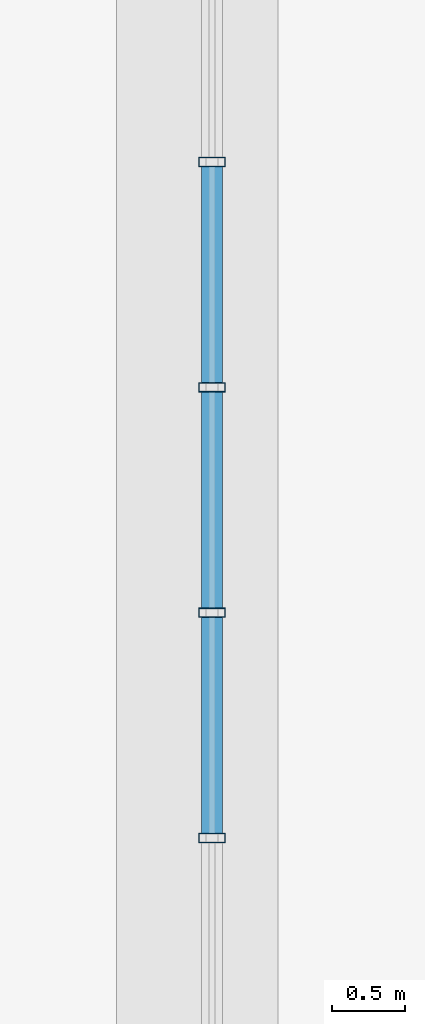
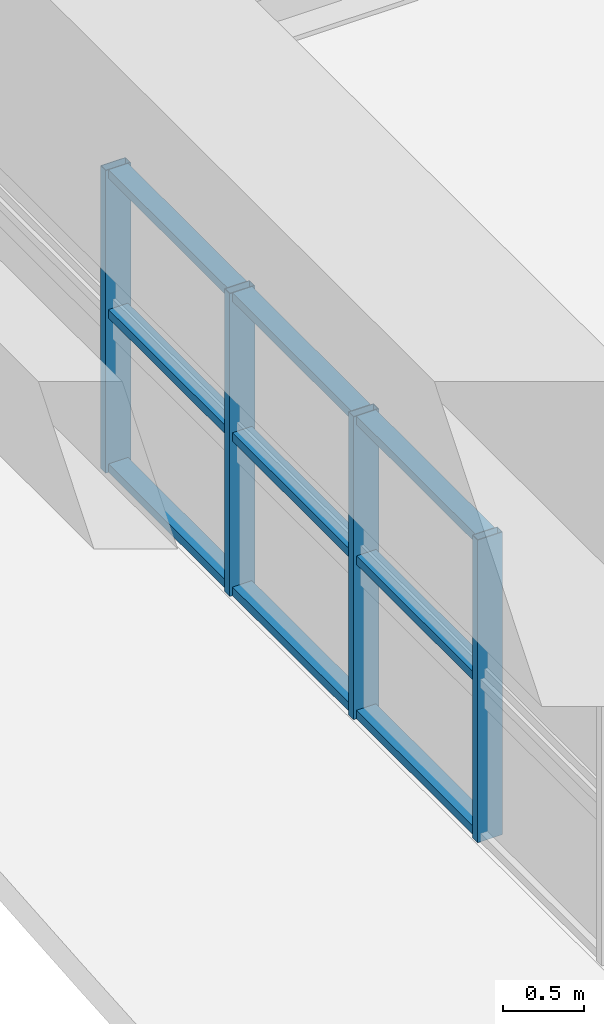
# One storey, part 10 of 35: 13 members, 1 element without a shape of its own.
"""IFC4 building model written with IfcOpenShell, lengths in metres."""

from ifc_helpers import new_model, si_unit, direction, frame, origin, origin_2d, place, context, subcontext, project, spatial, hollow_rectangle, extrude, source, transform, mapped, material, layer, layer_set, material_profile, profile_set, type_object, element, aggregate, save


model = new_model("IFC4")

# Units and contexts
model_context = context("Model", 3, precision=1e-05, world=origin(), true_north=direction((0.0, 1.0)))
body_context = subcontext(model_context, "Body", "Model", "MODEL_VIEW")
ifc_project = project(units=[si_unit("LENGTHUNIT", "METRE"), si_unit("AREAUNIT", "SQUARE_METRE"), si_unit("VOLUMEUNIT", "CUBIC_METRE"), si_unit("PLANEANGLEUNIT", "RADIAN"), si_unit("MASSUNIT", "GRAM", prefix="KILO")], contexts=[model_context])

# Site, building, storey
site_placement = place(None, origin())
site = spatial("IfcSite", under=ifc_project, at=site_placement, CompositionType="ELEMENT")
building_placement = place(site_placement, origin())
building = spatial("IfcBuilding", under=site, at=building_placement, Name="Saelheon Loggia Tower", CompositionType="ELEMENT")
storey_placement = place(building_placement, frame((0.0, 0.0, 144.75)))
storey = spatial("IfcBuildingStorey", under=building, at=storey_placement, Name="L46", CompositionType="ELEMENT", Elevation=144.75)

# Curtain wall, members
ifc_material_1 = material(Name="Anodised Aluminium Acoustic Louvre Curtain Wall", Category="aluminium")
ifc_layer = layer(ifc_material_1, 0.179931640625)
ifc_layer_set = layer_set([ifc_layer], Name="Anodised Aluminium Acoustic Louvre Curtain Wall")
curtain_wall_type = type_object("IfcCurtainWallType", Name="CW_RefugeAcoustic", PredefinedType="NOTDEFINED", material=ifc_layer_set)
curtain_wall_placement = place(storey_placement, origin())
curtain_wall = element("IfcCurtainWall", 1, at=curtain_wall_placement, inside=storey, type_object=curtain_wall_type, Name="L46 W Refuge Acoustic Curtain Wall 2", PredefinedType="NOTDEFINED")
ifc_material_2 = material(Name="Anodised Aluminium 6063-T6", Category="aluminium")
ifc_material_profile_1 = material_profile(ifc_material_2, hollow_rectangle(XDim=0.06494140625, YDim=0.179931640625, WallThickness=0.00390625, at=origin_2d()), Name="RHS-180x65x4")
ifc_profile_set_1 = profile_set([ifc_material_profile_1], Name="Anodised Aluminium 6063-T6")
member_type_1 = type_object("IfcMemberType", Name="CW_RefugeAcoustic_Mullion", PredefinedType="MULLION", material=ifc_profile_set_1)
shared_shape_1 = source(origin(), body_context, "Body", "SweptSolid", [
    extrude(hollow_rectangle(XDim=0.06494140625, YDim=0.179931640625, WallThickness=0.00390625, at=origin_2d()), origin(), (0.0, 0.0, 1.0), 2.2900390625),
])
member_1_placement = place(storey_placement, frame((12.10009765625, 27.76806640625, 0.0), z_axis=(0.0, 0.0, 1.0), x_axis=(0.0, 1.0, 0.0)))
member_1 = element("IfcMember", 2, at=member_1_placement, type_object=member_type_1, Name="CW5 mullion 7", PredefinedType="MULLION", context=body_context, shape_type="MappedRepresentation", body=[
    mapped(shared_shape_1, transform((0.0, 0.0, 0.0), scale=1.0)),
])
member_2_placement = place(storey_placement, frame((12.10009765625, 29.304443359375, 0.0), z_axis=(0.0, 0.0, 1.0), x_axis=(0.0, 1.0, 0.0)))
member_2 = element("IfcMember", 3, at=member_2_placement, type_object=member_type_1, Name="CW5 mullion 8", PredefinedType="MULLION", context=body_context, shape_type="MappedRepresentation", body=[
    mapped(shared_shape_1, transform((0.0, 0.0, 0.0), scale=1.0)),
])
member_3_placement = place(storey_placement, frame((12.10009765625, 30.8408203125, 0.0), z_axis=(0.0, 0.0, 1.0), x_axis=(0.0, 1.0, 0.0)))
member_3 = element("IfcMember", 4, at=member_3_placement, type_object=member_type_1, Name="CW5 mullion 9", PredefinedType="MULLION", context=body_context, shape_type="MappedRepresentation", body=[
    mapped(shared_shape_1, transform((0.0, 0.0, 0.0), scale=1.0)),
])
member_4_placement = place(storey_placement, frame((12.10009765625, 32.377197265625, 0.0), z_axis=(0.0, 0.0, 1.0), x_axis=(0.0, 1.0, 0.0)))
member_4 = element("IfcMember", 5, at=member_4_placement, type_object=member_type_1, Name="CW5 mullion 10", PredefinedType="MULLION", context=body_context, shape_type="MappedRepresentation", body=[
    mapped(shared_shape_1, transform((0.0, 0.0, 0.0), scale=1.0)),
])
ifc_material_profile_2 = material_profile(ifc_material_2, hollow_rectangle(XDim=0.06494140625, YDim=0.139892578125, WallThickness=0.00390625, at=origin_2d()), Name="RHS-140x65x4")
ifc_profile_set_2 = profile_set([ifc_material_profile_2], Name="Anodised Aluminium 6063-T6")
member_type_2 = type_object("IfcMemberType", Name="CW_RefugeAcoustic_Transom", PredefinedType="USERDEFINED", material=ifc_profile_set_2)
shared_shape_2 = source(origin(), body_context, "Body", "SweptSolid", [
    extrude(hollow_rectangle(XDim=0.06494140625, YDim=0.139892578125, WallThickness=0.00390625, at=origin_2d()), origin(), (0.0, 0.0, 1.0), 1.471435546875),
])
member_5_placement = place(storey_placement, frame((12.10009765625, 30.873291015625, 0.032470703125), z_axis=(0.0, 1.0, 0.0), x_axis=(0.0, 0.0, 1.0)))
member_5 = element("IfcMember", 6, at=member_5_placement, type_object=member_type_2, Name="CW5 transom 9.1", ObjectType="TRANSOM", PredefinedType="USERDEFINED", context=body_context, shape_type="MappedRepresentation", body=[
    mapped(shared_shape_2, transform((0.0, 0.0, 0.0), scale=1.0)),
])
member_6_placement = place(storey_placement, frame((12.10009765625, 30.873291015625, 1.199951171875), z_axis=(0.0, 1.0, 0.0), x_axis=(0.0, 0.0, 1.0)))
member_6 = element("IfcMember", 7, at=member_6_placement, type_object=member_type_2, Name="CW5 transom 9.2", ObjectType="TRANSOM", PredefinedType="USERDEFINED", context=body_context, shape_type="MappedRepresentation", body=[
    mapped(shared_shape_2, transform((0.0, 0.0, 0.0), scale=1.0)),
])
member_7_placement = place(storey_placement, frame((12.10009765625, 30.873291015625, 2.257568359375), z_axis=(0.0, 1.0, 0.0), x_axis=(0.0, 0.0, 1.0)))
member_7 = element("IfcMember", 8, at=member_7_placement, type_object=member_type_2, Name="CW5 transom 9.3", ObjectType="TRANSOM", PredefinedType="USERDEFINED", context=body_context, shape_type="MappedRepresentation", body=[
    mapped(shared_shape_2, transform((0.0, 0.0, 0.0), scale=1.0)),
])
shared_shape_3 = source(origin(), body_context, "Body", "SweptSolid", [
    extrude(hollow_rectangle(XDim=0.06494140625, YDim=0.139892578125, WallThickness=0.00390625, at=origin_2d()), origin(), (0.0, 0.0, 1.0), 1.47119140625),
])
member_8_placement = place(storey_placement, frame((12.10009765625, 27.80078125, 0.032470703125), z_axis=(0.0, 1.0, 0.0), x_axis=(0.0, 0.0, 1.0)))
member_8 = element("IfcMember", 9, at=member_8_placement, type_object=member_type_2, Name="CW5 transom 7.1", ObjectType="TRANSOM", PredefinedType="USERDEFINED", context=body_context, shape_type="MappedRepresentation", body=[
    mapped(shared_shape_3, transform((0.0, 0.0, 0.0), scale=1.0)),
])
member_9_placement = place(storey_placement, frame((12.10009765625, 27.80078125, 1.199951171875), z_axis=(0.0, 1.0, 0.0), x_axis=(0.0, 0.0, 1.0)))
member_9 = element("IfcMember", 10, at=member_9_placement, type_object=member_type_2, Name="CW5 transom 7.2", ObjectType="TRANSOM", PredefinedType="USERDEFINED", context=body_context, shape_type="MappedRepresentation", body=[
    mapped(shared_shape_3, transform((0.0, 0.0, 0.0), scale=1.0)),
])
member_10_placement = place(storey_placement, frame((12.10009765625, 27.80078125, 2.257568359375), z_axis=(0.0, 1.0, 0.0), x_axis=(0.0, 0.0, 1.0)))
member_10 = element("IfcMember", 11, at=member_10_placement, type_object=member_type_2, Name="CW5 transom 7.3", ObjectType="TRANSOM", PredefinedType="USERDEFINED", context=body_context, shape_type="MappedRepresentation", body=[
    mapped(shared_shape_3, transform((0.0, 0.0, 0.0), scale=1.0)),
])
member_11_placement = place(storey_placement, frame((12.10009765625, 29.337158203125, 0.032470703125), z_axis=(0.0, 1.0, 0.0), x_axis=(0.0, 0.0, 1.0)))
member_11 = element("IfcMember", 12, at=member_11_placement, type_object=member_type_2, Name="CW5 transom 8.1", ObjectType="TRANSOM", PredefinedType="USERDEFINED", context=body_context, shape_type="MappedRepresentation", body=[
    mapped(shared_shape_3, transform((0.0, 0.0, 0.0), scale=1.0)),
])
member_12_placement = place(storey_placement, frame((12.10009765625, 29.337158203125, 1.199951171875), z_axis=(0.0, 1.0, 0.0), x_axis=(0.0, 0.0, 1.0)))
member_12 = element("IfcMember", 13, at=member_12_placement, type_object=member_type_2, Name="CW5 transom 8.2", ObjectType="TRANSOM", PredefinedType="USERDEFINED", context=body_context, shape_type="MappedRepresentation", body=[
    mapped(shared_shape_3, transform((0.0, 0.0, 0.0), scale=1.0)),
])
member_13_placement = place(storey_placement, frame((12.10009765625, 29.337158203125, 2.257568359375), z_axis=(0.0, 1.0, 0.0), x_axis=(0.0, 0.0, 1.0)))
member_13 = element("IfcMember", 14, at=member_13_placement, type_object=member_type_2, Name="CW5 transom 8.3", ObjectType="TRANSOM", PredefinedType="USERDEFINED", context=body_context, shape_type="MappedRepresentation", body=[
    mapped(shared_shape_3, transform((0.0, 0.0, 0.0), scale=1.0)),
])
aggregate(curtain_wall, [member_1, member_2, member_3, member_4, member_8, member_9, member_10, member_11, member_12, member_13, member_5, member_6, member_7])

save(model, "model.ifc")
